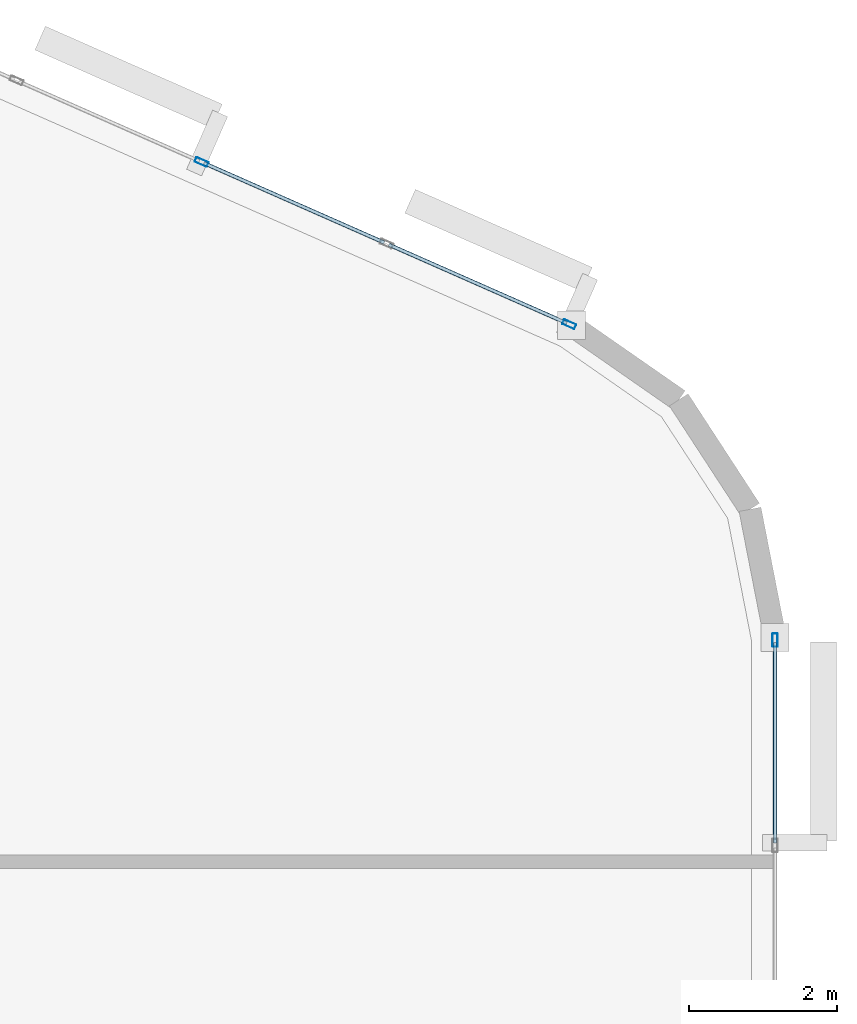
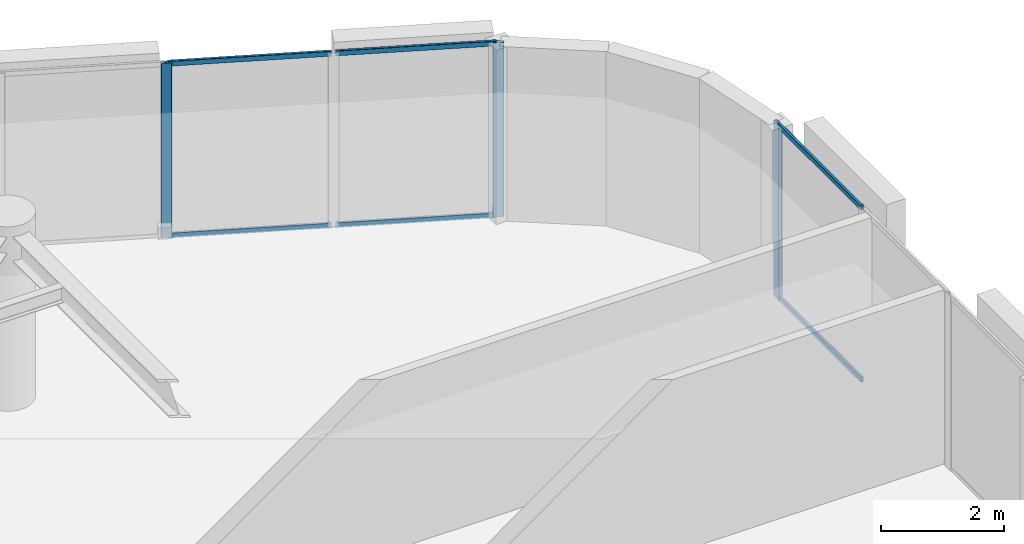
# One storey, part 6 of 12: 9 members, 2 elements without a shape of their own.
"""IFC4 building model written with IfcOpenShell, lengths in metres."""

from ifc_helpers import new_model, si_unit, direction, frame, origin, origin_2d, place, context, subcontext, project, spatial, hollow_rectangle, extrude, material, layer, layer_set, material_profile, profile_set, type_object, element, aggregate, save


model = new_model("IFC4")

# Units and contexts
model_context = context("Model", 3, precision=1e-05, world=origin(), true_north=direction((0.0, 1.0)))
body_context = subcontext(model_context, "Body", "Model", "MODEL_VIEW")
ifc_project = project(units=[si_unit("LENGTHUNIT", "METRE"), si_unit("AREAUNIT", "SQUARE_METRE"), si_unit("VOLUMEUNIT", "CUBIC_METRE"), si_unit("PLANEANGLEUNIT", "RADIAN"), si_unit("MASSUNIT", "GRAM", prefix="KILO")], contexts=[model_context])

# Site, building, storey
site_placement = place(None, origin())
site = spatial("IfcSite", under=ifc_project, at=site_placement, CompositionType="ELEMENT")
building_placement = place(site_placement, origin())
building = spatial("IfcBuilding", under=site, at=building_placement, Name="An Khanh Terracotta Commons", CompositionType="ELEMENT")
storey_placement = place(building_placement, frame((0.0, 0.0, 273.39990234375)))
storey = spatial("IfcBuildingStorey", under=building, at=storey_placement, Name="L71", CompositionType="ELEMENT", Elevation=273.39990234375)

# Curtain wall, member
ifc_material = material(Name="Anodised Aluminium 6063-T6", Category="aluminium")
ifc_layer = layer(ifc_material, 0.2099609375, Name="Anodised Aluminium 6063-T6")
ifc_layer_set = layer_set([ifc_layer], Name="Anodised Aluminium 6063-T6")
curtain_wall_type = type_object("IfcCurtainWallType", Name="CW-SYS-03", PredefinedType="USERDEFINED", material=ifc_layer_set)
curtain_wall_1_placement = place(storey_placement, origin())
curtain_wall_1 = element("IfcCurtainWall", 1, at=curtain_wall_1_placement, inside=storey, type_object=curtain_wall_type, Name="L71 CW-03 Unitised Curtain Wall CW-L71-12", ObjectType="UNITISED CURTAIN WALL", PredefinedType="USERDEFINED")
ifc_material_profile_1 = material_profile(ifc_material, hollow_rectangle(XDim=0.070068359375, YDim=0.179931640625, WallThickness=0.00390625, InnerFilletRadius=0.00390625, OuterFilletRadius=0.008056640625, at=origin_2d()), Name="RHS180x70x4")
ifc_profile_set_1 = profile_set([ifc_material_profile_1], Name="Anodised Aluminium 6063-T6")
member_type_1 = type_object("IfcMemberType", Name="CWM-RHS180x70x4", PredefinedType="MULLION", material=ifc_profile_set_1)
member_1_placement = place(storey_placement, frame((75.60009765625, 28.1669921875, 0.0), z_axis=(0.0, 0.0, 1.0), x_axis=(-1.0, 0.0, 0.0)))
member_1 = element("IfcMember", 2, at=member_1_placement, type_object=member_type_1, Name="CW-03 mullion 4", PredefinedType="MULLION", context=body_context, shape_type="SweptSolid", body=[
    extrude(hollow_rectangle(XDim=0.070068359375, YDim=0.179931640625, WallThickness=0.00390625, InnerFilletRadius=0.00390625, OuterFilletRadius=0.008056640625, at=origin_2d()), origin(), (0.0, 0.0, 1.0), 3.4501953125),
])

# Curtain wall, members
curtain_wall_2_placement = place(storey_placement, origin())
curtain_wall_2 = element("IfcCurtainWall", 3, at=curtain_wall_2_placement, inside=storey, type_object=curtain_wall_type, Name="L71 CW-03 Unitised Curtain Wall CW-L71-16", ObjectType="UNITISED CURTAIN WALL", PredefinedType="USERDEFINED")
member_2_placement = place(storey_placement, frame((72.824951171875, 32.424072265625, 0.0), z_axis=(0.0, 0.0, 1.0), x_axis=(-0.403676354285, -0.914901853201, 0.0)))
member_2 = element("IfcMember", 4, at=member_2_placement, type_object=member_type_1, Name="CW-03 mullion 1", PredefinedType="MULLION", context=body_context, shape_type="SweptSolid", body=[
    extrude(hollow_rectangle(XDim=0.070068359375, YDim=0.179931640625, WallThickness=0.00390625, InnerFilletRadius=0.00390625, OuterFilletRadius=0.008056640625, at=origin_2d()), origin(), (0.0, 0.0, 1.0), 3.4501953125),
])
member_3_placement = place(storey_placement, frame((67.8720703125, 34.609619140625, 0.0), z_axis=(0.0, 0.0, 1.0), x_axis=(-0.403676354285, -0.914901853201, 0.0)))
member_3 = element("IfcMember", 5, at=member_3_placement, type_object=member_type_1, Name="CW-03 mullion 3", PredefinedType="MULLION", context=body_context, shape_type="SweptSolid", body=[
    extrude(hollow_rectangle(XDim=0.070068359375, YDim=0.179931640625, WallThickness=0.00390625, InnerFilletRadius=0.00390625, OuterFilletRadius=0.008056640625, at=origin_2d()), origin(), (0.0, 0.0, 1.0), 3.4501953125),
])

# Member
ifc_material_profile_2 = material_profile(ifc_material, hollow_rectangle(XDim=0.050048828125, YDim=0.10009765625, WallThickness=0.003173828125, InnerFilletRadius=0.003173828125, OuterFilletRadius=0.00634765625, at=origin_2d()), Name="RHS100x50x3.2")
ifc_profile_set_2 = profile_set([ifc_material_profile_2], Name="Anodised Aluminium 6063-T6")
member_type_2 = type_object("IfcMemberType", Name="CWT-RHS100x50x3.2", PredefinedType="USERDEFINED", material=ifc_profile_set_2)
member_4_placement = place(storey_placement, frame((75.60009765625, 25.435546875, 0.025146484375), z_axis=(0.0, 1.0, 0.0), x_axis=(-1.0, 0.0, 0.0)))
member_4 = element("IfcMember", 6, at=member_4_placement, type_object=member_type_2, Name="CW-03 transom 3.1", ObjectType="TRANSOM", PredefinedType="USERDEFINED", context=body_context, shape_type="SweptSolid", body=[
    extrude(hollow_rectangle(XDim=0.050048828125, YDim=0.10009765625, WallThickness=0.003173828125, InnerFilletRadius=0.003173828125, OuterFilletRadius=0.00634765625, at=origin_2d()), origin(), (0.0, 0.0, 1.0), 2.696533203125),
])

member_5_placement = place(storey_placement, frame((75.60009765625, 25.435546875, 3.425048828125), z_axis=(0.0, 1.0, 0.0), x_axis=(-1.0, 0.0, 0.0)))
member_5 = element("IfcMember", 7, at=member_5_placement, type_object=member_type_2, Name="CW-03 transom 3.2", ObjectType="TRANSOM", PredefinedType="USERDEFINED", context=body_context, shape_type="SweptSolid", body=[
    extrude(hollow_rectangle(XDim=0.050048828125, YDim=0.10009765625, WallThickness=0.003173828125, InnerFilletRadius=0.003173828125, OuterFilletRadius=0.00634765625, at=origin_2d()), origin(), (0.0, 0.0, 1.0), 2.696533203125),
])

aggregate(curtain_wall_1, [member_1, member_4, member_5])

member_6_placement = place(storey_placement, frame((72.79296875, 32.438232421875, 0.025146484375), z_axis=(-0.914903627858, 0.403672332137, 0.0), x_axis=(-0.403672332137, -0.914903627858, 0.0)))
member_6 = element("IfcMember", 8, at=member_6_placement, type_object=member_type_2, Name="CW-03 transom 1.1", ObjectType="TRANSOM", PredefinedType="USERDEFINED", context=body_context, shape_type="SweptSolid", body=[
    extrude(hollow_rectangle(XDim=0.050048828125, YDim=0.10009765625, WallThickness=0.003173828125, InnerFilletRadius=0.003173828125, OuterFilletRadius=0.00634765625, at=origin_2d()), origin(), (0.0, 0.0, 1.0), 2.619384765625),
])

member_7_placement = place(storey_placement, frame((72.79296875, 32.438232421875, 3.425048828125), z_axis=(-0.914903627858, 0.403672332137, 0.0), x_axis=(-0.403672332137, -0.914903627858, 0.0)))
member_7 = element("IfcMember", 9, at=member_7_placement, type_object=member_type_2, Name="CW-03 transom 1.2", ObjectType="TRANSOM", PredefinedType="USERDEFINED", context=body_context, shape_type="SweptSolid", body=[
    extrude(hollow_rectangle(XDim=0.050048828125, YDim=0.10009765625, WallThickness=0.003173828125, InnerFilletRadius=0.003173828125, OuterFilletRadius=0.00634765625, at=origin_2d()), origin(), (0.0, 0.0, 1.0), 2.619384765625),
])

member_8_placement = place(storey_placement, frame((70.33251953125, 33.52392578125, 0.025146484375), z_axis=(-0.914896820753, 0.403687759755, 0.0), x_axis=(-0.403687759755, -0.914896820753, 0.0)))
member_8 = element("IfcMember", 10, at=member_8_placement, type_object=member_type_2, Name="CW-03 transom 2.1", ObjectType="TRANSOM", PredefinedType="USERDEFINED", context=body_context, shape_type="SweptSolid", body=[
    extrude(hollow_rectangle(XDim=0.050048828125, YDim=0.10009765625, WallThickness=0.003173828125, InnerFilletRadius=0.003173828125, OuterFilletRadius=0.00634765625, at=origin_2d()), origin(), (0.0, 0.0, 1.0), 2.654296875),
])

member_9_placement = place(storey_placement, frame((70.33251953125, 33.52392578125, 3.425048828125), z_axis=(-0.914896820753, 0.403687759755, 0.0), x_axis=(-0.403687759755, -0.914896820753, 0.0)))
member_9 = element("IfcMember", 11, at=member_9_placement, type_object=member_type_2, Name="CW-03 transom 2.2", ObjectType="TRANSOM", PredefinedType="USERDEFINED", context=body_context, shape_type="SweptSolid", body=[
    extrude(hollow_rectangle(XDim=0.050048828125, YDim=0.10009765625, WallThickness=0.003173828125, InnerFilletRadius=0.003173828125, OuterFilletRadius=0.00634765625, at=origin_2d()), origin(), (0.0, 0.0, 1.0), 2.654296875),
])

aggregate(curtain_wall_2, [member_2, member_3, member_6, member_7, member_8, member_9])

save(model, "model.ifc")
